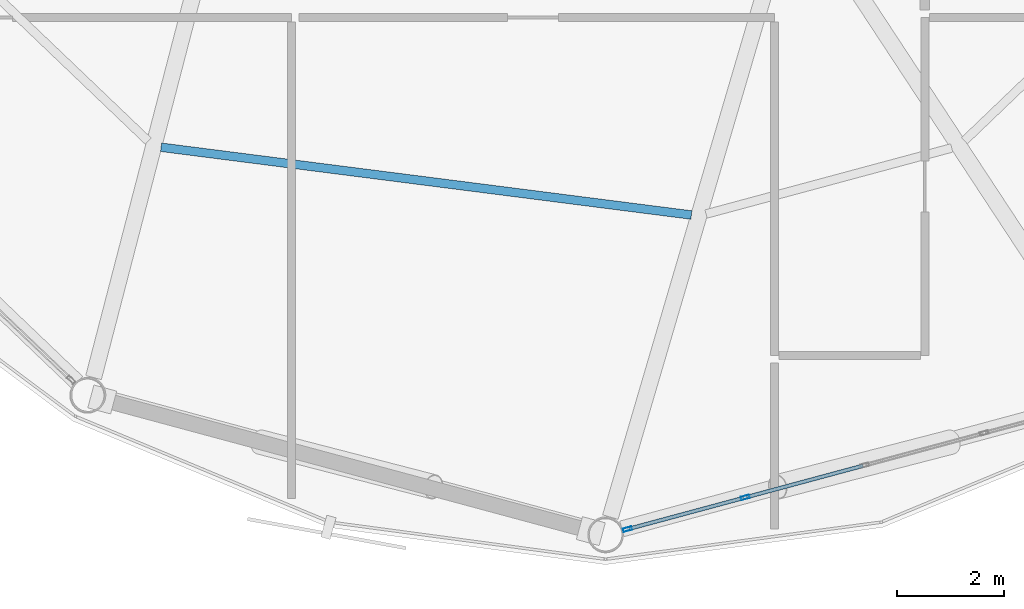
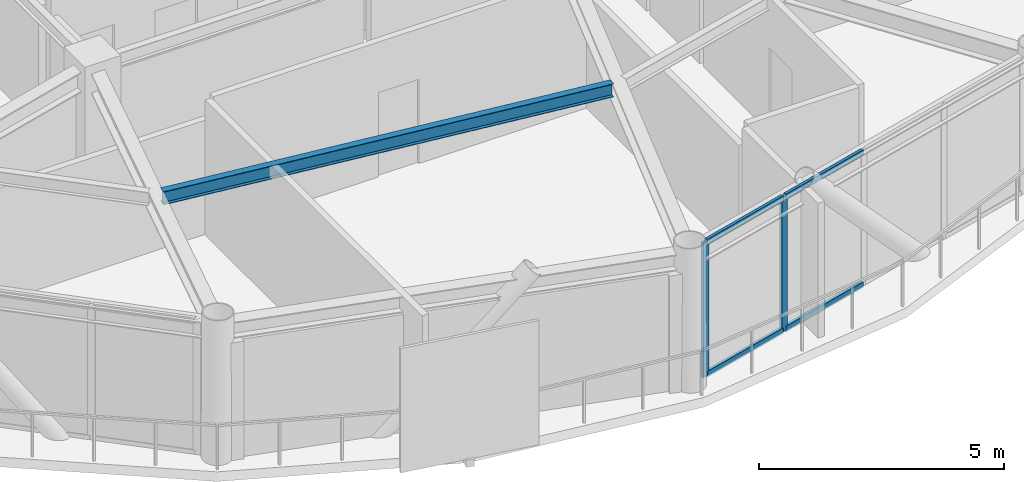
# One storey, part 7 of 28: 6 members, 1 beam, 1 element without a shape of its own.
"""IFC4 building model written with IfcOpenShell, lengths in metres."""

import ifcopenshell
import ifcopenshell.guid

model = None  # the IFC model being written
_history = None  # IfcOwnerHistory: only IFC2X3 demands one
_inside = {}  # id of a spatial element -> (the spatial element, [elements in it])
_under = {}  # id of a project, library or spatial element -> (it, [spatial elements below it])
_declared = {}  # id of a project -> (the project, [libraries it declares])
_typed = {}  # id of a type object -> (the type object, [elements of that type])
_made_of = {}  # id of a material, layer set ... -> (it, [elements and type objects made of it])


def new_model(schema):
    """Start an empty IFC model of exactly this schema.

    Asked for "IFC4X3", IfcOpenShell would pick the latest addendum, in which some entities
    have other attributes; the version numbers below select the first issue.
    IFC2X3 requires an IfcOwnerHistory on every rooted entity: one is made here for all.
    """
    global model, _history
    if schema == "IFC4X3":
        model = ifcopenshell.file(schema_version=(4, 3, 0, 0))
    else:
        model = ifcopenshell.file(schema=schema)
    _inside.clear()
    _under.clear()
    _declared.clear()
    _typed.clear()
    _made_of.clear()
    _history = None
    if model.schema == "IFC2X3":
        org = make("IfcOrganization", Name="unknown")
        user = make(
            "IfcPersonAndOrganization",
            ThePerson=make("IfcPerson", FamilyName="unknown"),
            TheOrganization=org,
        )
        app = make(
            "IfcApplication",
            ApplicationDeveloper=org,
            Version="unknown",
            ApplicationFullName="unknown",
            ApplicationIdentifier="unknown",
        )
        _history = make(
            "IfcOwnerHistory",
            OwningUser=user,
            OwningApplication=app,
            ChangeAction="ADDED",
            CreationDate=0,
        )
    return model


def make(cls, **values):
    """One entity of the class cls with the attributes given. An attribute that is None is left unset."""
    return model.create_entity(
        cls, **{name: value for name, value in values.items() if value is not None}
    )


def rooted(cls, **values):
    """An entity with a GlobalId (a new one), such as an element, a storey or a relation."""
    return make(cls, GlobalId=ifcopenshell.guid.new(), OwnerHistory=_history, **values)


def si_unit(unit_type, name, prefix=None):
    """IfcSIUnit, for example si_unit("LENGTHUNIT", "METRE", prefix="MILLI")."""
    return make("IfcSIUnit", UnitType=unit_type, Prefix=prefix, Name=name)


def assignment(units):
    """IfcUnitAssignment: the units of a project."""
    return None if units is None else make("IfcUnitAssignment", Units=units)


def point(xyz):
    """IfcCartesianPoint."""
    return None if xyz is None else make("IfcCartesianPoint", Coordinates=xyz)


def direction(xyz):
    """IfcDirection."""
    return None if xyz is None else make("IfcDirection", DirectionRatios=xyz)


def frame(location, z_axis=None, x_axis=None):
    """IfcAxis2Placement3D, a coordinate frame: its origin and axes. An axis left out is left unset."""
    return make(
        "IfcAxis2Placement3D",
        Location=point(location),
        Axis=direction(z_axis),
        RefDirection=direction(x_axis),
    )


def frame_2d(location, x_axis=None):
    """IfcAxis2Placement2D, a coordinate frame in the plane: its origin and x axis."""
    return make(
        "IfcAxis2Placement2D", Location=point(location), RefDirection=direction(x_axis)
    )


def origin():
    """The frame at (0, 0, 0) with its axes left unset."""
    return frame((0.0, 0.0, 0.0))


def origin_2d():
    """The frame at (0, 0) in the plane with its x axis left unset."""
    return frame_2d((0.0, 0.0))


def place(relative_to, where):
    """IfcLocalPlacement: puts the frame where relative to a parent placement (None: the world)."""
    return make(
        "IfcLocalPlacement", PlacementRelTo=relative_to, RelativePlacement=where
    )


def context(
    kind, dimensions, precision=None, world=None, true_north=None, identifier=None
):
    """IfcGeometricRepresentationContext, for example the 3D "Model" context."""
    return make(
        "IfcGeometricRepresentationContext",
        ContextIdentifier=identifier,
        ContextType=kind,
        CoordinateSpaceDimension=dimensions,
        Precision=precision,
        WorldCoordinateSystem=world,
        TrueNorth=true_north,
    )


def subcontext(parent, identifier, kind, view, scale=None):
    """IfcGeometricRepresentationSubContext, for example "Body" below "Model"."""
    return make(
        "IfcGeometricRepresentationSubContext",
        ContextIdentifier=identifier,
        ContextType=kind,
        ParentContext=parent,
        TargetScale=scale,
        TargetView=view,
    )


def project(units=None, contexts=None):
    """IfcProject with its units and contexts."""
    return rooted(
        "IfcProject",
        Name="project",
        RepresentationContexts=contexts,
        UnitsInContext=assignment(units),
    )


def spatial(cls, under=None, at=None, **own):
    """A site, building, storey or space (cls), placed at a placement, below another one or the project."""
    s = rooted(cls, ObjectPlacement=at, **own)
    if under is not None:
        _under.setdefault(under.id(), (under, []))[1].append(s)
    return s


def profile(cls, at=None, kind="AREA", **sizes):
    """A parametric profile (cls). Its sizes go by their IFC names, for example OverallWidth=200.0."""
    return make(cls, ProfileType=kind, Position=at, **sizes)


def hollow_rectangle(**sizes):
    """IfcRectangleHollowProfileDef."""
    return profile("IfcRectangleHollowProfileDef", **sizes)


def i_section(**sizes):
    """IfcIShapeProfileDef."""
    return profile("IfcIShapeProfileDef", **sizes)


def extrude(swept, where, along, depth):
    """IfcExtrudedAreaSolid: the profile swept, set in the frame where, extruded along a direction by depth."""
    return make(
        "IfcExtrudedAreaSolid",
        SweptArea=swept,
        Position=where,
        ExtrudedDirection=direction(along),
        Depth=depth,
    )


def shape(context_of_items, identifier, shape_type, items):
    """IfcShapeRepresentation: the items that make up one representation, for example the "Body"."""
    return make(
        "IfcShapeRepresentation",
        ContextOfItems=context_of_items,
        RepresentationIdentifier=identifier,
        RepresentationType=shape_type,
        Items=items,
    )


def material(Name=None, Category=None):
    """IfcMaterial."""
    return make("IfcMaterial", Name=Name, Category=Category)


def layer(
    of_material, thickness, ventilated=None, Name=None, Category=None, Priority=None
):
    """IfcMaterialLayer: one layer of a wall or slab, of a material (None: an air gap)."""
    return make(
        "IfcMaterialLayer",
        Material=of_material,
        LayerThickness=thickness,
        IsVentilated=ventilated,
        Name=Name,
        Category=Category,
        Priority=Priority,
    )


def layer_set(layers, Name=None):
    """IfcMaterialLayerSet."""
    return make("IfcMaterialLayerSet", MaterialLayers=layers, LayerSetName=Name)


def material_profile(
    of_material, cross_section, Name=None, Category=None, Priority=None
):
    """IfcMaterialProfile: a cross section and its material."""
    return make(
        "IfcMaterialProfile",
        Name=Name,
        Material=of_material,
        Profile=cross_section,
        Priority=Priority,
        Category=Category,
    )


def profile_set(profiles, Name=None, composite=None):
    """IfcMaterialProfileSet."""
    return make(
        "IfcMaterialProfileSet",
        Name=Name,
        MaterialProfiles=profiles,
        CompositeProfile=composite,
    )


def made_of(thing, what):
    """Note that an element or type object is made of a material, layer set ...; save() writes the relation."""
    if what is not None:
        _made_of.setdefault(what.id(), (what, []))[1].append(thing)
    return thing


def type_object(cls, material=None, **own):
    """A type object (cls), such as IfcWallType, which elements share."""
    return made_of(rooted(cls, **own), material)


def element(
    cls,
    number,
    at=None,
    inside=None,
    cuts=None,
    type_object=None,
    material=None,
    context=None,
    identifier="Body",
    shape_type=None,
    held_by="IfcProductDefinitionShape",
    body=None,
    shapes=None,
    **own,
):
    """One element of the class cls, such as IfcWall. Its Tag is "e" and its number.

    at: its placement. inside: the storey or other place that contains it. cuts: it is an
    opening in that element (IfcRelVoidsElement). A single representation is given by context,
    identifier, shape_type and body (its items); several are given by shapes. held_by: the class
    of the entity that holds the representations. save() writes the other relations.
    """
    e = rooted(cls, Tag="e%d" % number, ObjectPlacement=at, **own)
    if body is not None:
        shapes = [shape(context, identifier, shape_type, body)]
    if shapes is not None:
        e.Representation = make(held_by, Representations=shapes)
    if inside is not None:
        _inside.setdefault(inside.id(), (inside, []))[1].append(e)
    if cuts is not None:
        rooted(
            "IfcRelVoidsElement", RelatingBuildingElement=cuts, RelatedOpeningElement=e
        )
    if type_object is not None:
        _typed.setdefault(type_object.id(), (type_object, []))[1].append(e)
    return made_of(e, material)


def aggregate(whole, parts):
    """IfcRelAggregates: a whole, such as a stair, and the parts it consists of."""
    return rooted("IfcRelAggregates", RelatingObject=whole, RelatedObjects=parts)


def save(model, path):
    """Write the relations noted so far, then the file.

    IfcRelAggregates (storeys below a building ...), IfcRelContainedInSpatialStructure (elements
    in a storey), IfcRelDefinesByType, IfcRelAssociatesMaterial and IfcRelDeclares: one each for
    every whole, place, type object, material and project.
    """
    for whole, parts in _under.values():
        aggregate(whole, parts)
    for where, things in _inside.values():
        rooted(
            "IfcRelContainedInSpatialStructure",
            RelatedElements=things,
            RelatingStructure=where,
        )
    for kind, things in _typed.values():
        rooted("IfcRelDefinesByType", RelatedObjects=things, RelatingType=kind)
    for what, things in _made_of.values():
        rooted("IfcRelAssociatesMaterial", RelatedObjects=things, RelatingMaterial=what)
    for by, libraries in _declared.values():
        rooted("IfcRelDeclares", RelatingContext=by, RelatedDefinitions=libraries)
    model.write(path)


model = new_model("IFC4")

# Units and contexts
model_context = context("Model", 3, precision=1e-05, world=origin(), true_north=direction((0.0, 1.0)))
body_context = subcontext(model_context, "Body", "Model", "MODEL_VIEW")
ifc_project = project(units=[si_unit("LENGTHUNIT", "METRE"), si_unit("AREAUNIT", "SQUARE_METRE"), si_unit("VOLUMEUNIT", "CUBIC_METRE"), si_unit("PLANEANGLEUNIT", "RADIAN"), si_unit("MASSUNIT", "GRAM", prefix="KILO")], contexts=[model_context])

# Site, building, storey
site_placement = place(None, origin())
site = spatial("IfcSite", under=ifc_project, at=site_placement, CompositionType="ELEMENT")
building_placement = place(site_placement, origin())
building = spatial("IfcBuilding", under=site, at=building_placement, Name="Varnakorn Sky Granary", CompositionType="ELEMENT")
storey_placement = place(building_placement, frame((0.0, 0.0, 196.800048828125)))
storey = spatial("IfcBuildingStorey", under=building, at=storey_placement, Name="L49", CompositionType="ELEMENT", Elevation=196.800048828125)

# Beam
ifc_material_1 = material(Name="Steel S355JR", Category="steel")
ifc_material_profile_1 = material_profile(ifc_material_1, i_section(OverallWidth=0.159912109375, OverallDepth=0.330078125, WebThickness=0.007568359375, FlangeThickness=0.011474609375, at=origin_2d()), Name="IPE 330")
ifc_profile_set_1 = profile_set([ifc_material_profile_1], Name="Steel S355JR")
beam_type = type_object("IfcBeamType", Name="BM-SEC-Z4", PredefinedType="BEAM", material=ifc_profile_set_1)
beam_placement = place(storey_placement, frame((-3.4326171875, -11.319091796875, 3.195068359375), z_axis=(0.991930576292, -0.126782222004, 0.0), x_axis=(0.126782222004, 0.991930576292, 0.0)))
element("IfcBeam", 1, at=beam_placement, inside=storey, type_object=beam_type, Name="Secondary Floor Chord Beam MSB09 L49", PredefinedType="BEAM", context=body_context, shape_type="SweptSolid", body=[
    extrude(i_section(OverallWidth=0.159912109375, OverallDepth=0.330078125, WebThickness=0.007568359375, FlangeThickness=0.011474609375, at=origin_2d()), origin(), (0.0, 0.0, 1.0), 9.96142578125),
])

# Curtain wall, members
ifc_material_2 = material(Name="Anodised Bronze Aluminium Alloy 6063-T6", Category="aluminium")
ifc_layer = layer(ifc_material_2, 0.169921875, Name="Anodised Bronze Aluminium Alloy 6063-T6")
ifc_layer_set = layer_set([ifc_layer], Name="Anodised Bronze Aluminium Alloy 6063-T6")
curtain_wall_type = type_object("IfcCurtainWallType", Name="CW-LAB-1", PredefinedType="USERDEFINED", material=ifc_layer_set)
curtain_wall_placement = place(storey_placement, origin())
curtain_wall = element("IfcCurtainWall", 2, at=curtain_wall_placement, inside=storey, type_object=curtain_wall_type, Name="Unitised Curtain Wall CW5 CW-L49-B10", ObjectType="CURTAIN WALL", PredefinedType="USERDEFINED")
ifc_material_profile_2 = material_profile(ifc_material_2, hollow_rectangle(XDim=0.06494140625, YDim=0.159912109375, WallThickness=0.00341796875, at=origin_2d()), Name="ALU MULL 65x160")
ifc_profile_set_2 = profile_set([ifc_material_profile_2], Name="Anodised Bronze Aluminium Alloy 6063-T6")
member_type_1 = type_object("IfcMemberType", Name="CW-LAB-1-MULL", PredefinedType="MULLION", material=ifc_profile_set_2)
member_1_placement = place(storey_placement, frame((7.451904296875, -17.845703125, 0.0), z_axis=(0.0, 0.0, 1.0), x_axis=(0.260195590554, -0.965555930362, 0.0)))
member_1 = element("IfcMember", 3, at=member_1_placement, type_object=member_type_1, Name="CW5 mullion 4", PredefinedType="MULLION", context=body_context, shape_type="SweptSolid", body=[
    extrude(hollow_rectangle(XDim=0.06494140625, YDim=0.159912109375, WallThickness=0.00341796875, at=origin_2d()), origin(), (0.0, 0.0, 1.0), 3.35986328125),
])
member_2_placement = place(storey_placement, frame((5.258056640625, -18.43701171875, 0.0), z_axis=(0.0, 0.0, 1.0), x_axis=(0.260195590554, -0.965555930362, 0.0)))
member_2 = element("IfcMember", 4, at=member_2_placement, type_object=member_type_1, Name="CW5 mullion 5", PredefinedType="MULLION", context=body_context, shape_type="SweptSolid", body=[
    extrude(hollow_rectangle(XDim=0.06494140625, YDim=0.159912109375, WallThickness=0.00341796875, at=origin_2d()), origin(), (0.0, 0.0, 1.0), 3.35986328125),
])
ifc_material_profile_3 = material_profile(ifc_material_2, hollow_rectangle(XDim=0.070068359375, YDim=0.139892578125, WallThickness=0.00341796875, at=origin_2d()), Name="ALU TRAN 70x140")
ifc_profile_set_3 = profile_set([ifc_material_profile_3], Name="Anodised Bronze Aluminium Alloy 6063-T6")
member_type_2 = type_object("IfcMemberType", Name="CW-LAB-1-TRAN", PredefinedType="USERDEFINED", material=ifc_profile_set_3)
member_3_placement = place(storey_placement, frame((9.645751953125, -17.254638671875, 0.034912109375), z_axis=(-0.965549415671, -0.260219764616, 0.0), x_axis=(0.260219764616, -0.965549415671, 0.0)))
member_3 = element("IfcMember", 5, at=member_3_placement, type_object=member_type_2, Name="CW5 transom 3.1", ObjectType="TRANSOM", PredefinedType="USERDEFINED", context=body_context, shape_type="SweptSolid", body=[
    extrude(hollow_rectangle(XDim=0.070068359375, YDim=0.139892578125, WallThickness=0.00341796875, at=origin_2d()), origin(), (0.0, 0.0, 1.0), 2.239501953125),
])
member_4_placement = place(storey_placement, frame((9.645751953125, -17.254638671875, 3.324951171875), z_axis=(-0.965549415671, -0.260219764616, 0.0), x_axis=(0.260219764616, -0.965549415671, 0.0)))
member_4 = element("IfcMember", 6, at=member_4_placement, type_object=member_type_2, Name="CW5 transom 3.2", ObjectType="TRANSOM", PredefinedType="USERDEFINED", context=body_context, shape_type="SweptSolid", body=[
    extrude(hollow_rectangle(XDim=0.070068359375, YDim=0.139892578125, WallThickness=0.00341796875, at=origin_2d()), origin(), (0.0, 0.0, 1.0), 2.239501953125),
])
member_5_placement = place(storey_placement, frame((7.420654296875, -17.854248046875, 0.034912109375), z_axis=(-0.965570892415, -0.260140061737, 0.0), x_axis=(0.260140061737, -0.965570892415, 0.0)))
member_5 = element("IfcMember", 7, at=member_5_placement, type_object=member_type_2, Name="CW5 transom 4.1", ObjectType="TRANSOM", PredefinedType="USERDEFINED", context=body_context, shape_type="SweptSolid", body=[
    extrude(hollow_rectangle(XDim=0.070068359375, YDim=0.139892578125, WallThickness=0.00341796875, at=origin_2d()), origin(), (0.0, 0.0, 1.0), 2.207275390625),
])
member_6_placement = place(storey_placement, frame((7.420654296875, -17.854248046875, 3.324951171875), z_axis=(-0.965570892415, -0.260140061737, 0.0), x_axis=(0.260140061737, -0.965570892415, 0.0)))
member_6 = element("IfcMember", 8, at=member_6_placement, type_object=member_type_2, Name="CW5 transom 4.2", ObjectType="TRANSOM", PredefinedType="USERDEFINED", context=body_context, shape_type="SweptSolid", body=[
    extrude(hollow_rectangle(XDim=0.070068359375, YDim=0.139892578125, WallThickness=0.00341796875, at=origin_2d()), origin(), (0.0, 0.0, 1.0), 2.207275390625),
])
aggregate(curtain_wall, [member_1, member_2, member_3, member_4, member_5, member_6])

save(model, "model.ifc")
